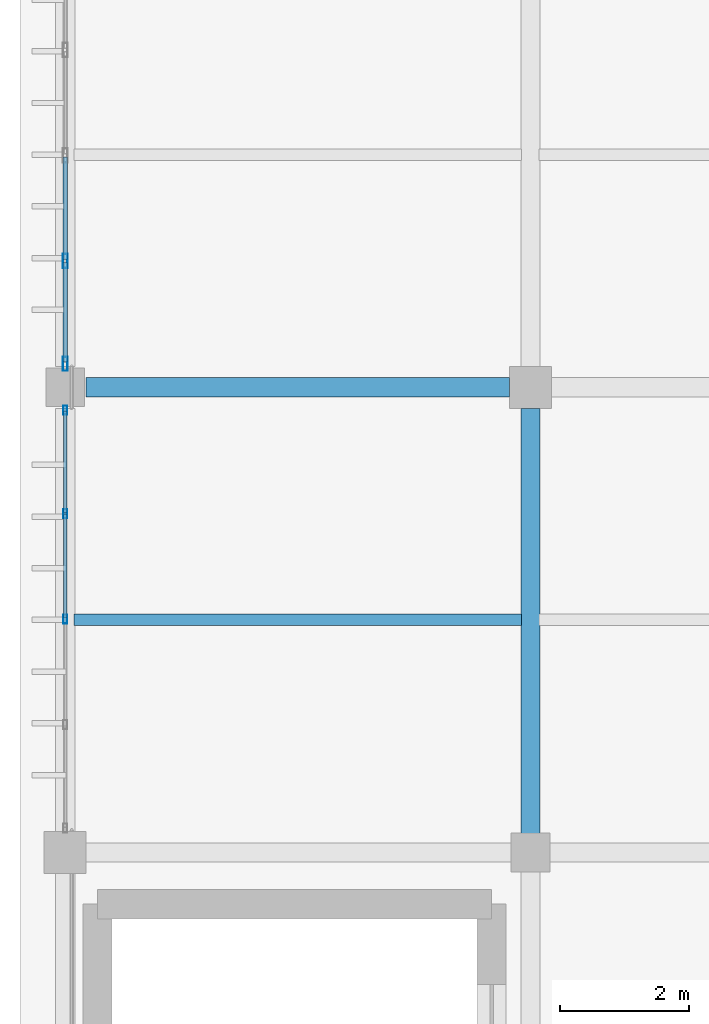
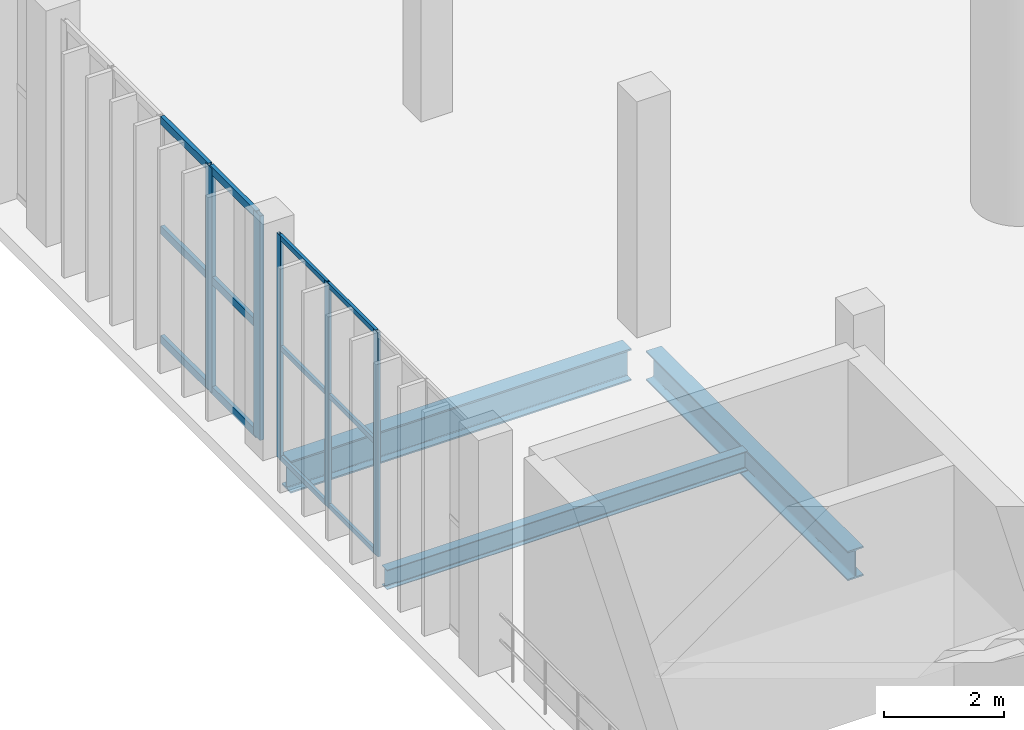
# One storey, part 41 of 105: 17 members, 3 beams, 2 elements without a shape of their own.
"""IFC4 building model written with IfcOpenShell, lengths in metres."""

from ifc_helpers import new_model, si_unit, direction, frame, origin, origin_2d, place, context, subcontext, project, spatial, hollow_rectangle, i_section, extrude, material, material_profile, profile_set, type_object, element, aggregate, save


model = new_model("IFC4")

# Units and contexts
model_context = context("Model", 3, precision=1e-05, world=origin(), true_north=direction((0.0, 1.0)))
body_context = subcontext(model_context, "Body", "Model", "MODEL_VIEW")
ifc_project = project(units=[si_unit("LENGTHUNIT", "METRE"), si_unit("AREAUNIT", "SQUARE_METRE"), si_unit("VOLUMEUNIT", "CUBIC_METRE"), si_unit("PLANEANGLEUNIT", "RADIAN"), si_unit("MASSUNIT", "GRAM", prefix="KILO")], contexts=[model_context])

# Site, building, storey
site_placement = place(None, origin())
site = spatial("IfcSite", under=ifc_project, at=site_placement, CompositionType="ELEMENT")
building_placement = place(site_placement, origin())
building = spatial("IfcBuilding", under=site, at=building_placement, Name="Qandorah Velis Arena", CompositionType="ELEMENT")
storey_placement = place(building_placement, frame((0.0, 0.0, 13.800048828125)))
storey = spatial("IfcBuildingStorey", under=building, at=storey_placement, Name="L03", CompositionType="ELEMENT", Elevation=13.800048828125)

# Curtain wall, members
ifc_material_1 = material(Name="Solar-control low-E double glazing", Category="glass")
curtain_wall_type_1 = type_object("IfcCurtainWallType", Name="ARC-CW-SYS04", PredefinedType="USERDEFINED", material=ifc_material_1)
curtain_wall_1_placement = place(storey_placement, origin())
curtain_wall_1 = element("IfcCurtainWall", 1, at=curtain_wall_1_placement, inside=storey, type_object=curtain_wall_type_1, Name="Unitised curtain wall L03-028", ObjectType="UNITISED CURTAIN WALL", PredefinedType="USERDEFINED")
ifc_material_2 = material(Name="Champagne-bronze anodized aluminium 6063-T6", Category="aluminium")
ifc_material_profile_1 = material_profile(ifc_material_2, hollow_rectangle(XDim=0.054931640625, YDim=0.139892578125, WallThickness=0.0029296875, at=origin_2d()), Name="ALU MULLION 55x140")
ifc_profile_set_1 = profile_set([ifc_material_profile_1], Name="Champagne-bronze anodized aluminium 6063-T6")
member_type_1 = type_object("IfcMemberType", Name="ARC-CWM-140", PredefinedType="MULLION", material=ifc_profile_set_1)
member_1_placement = place(storey_placement, frame((0.0, 97.21240234375, -0.01513671875), z_axis=(0.0, 0.0, 1.0), x_axis=(-1.0, 0.0, 0.0)))
member_1 = element("IfcMember", 2, at=member_1_placement, type_object=member_type_1, Name="CW04 mullion 3", PredefinedType="MULLION", context=body_context, shape_type="SweptSolid", body=[
    extrude(hollow_rectangle(XDim=0.054931640625, YDim=0.139892578125, WallThickness=0.0029296875, at=origin_2d()), origin(), (0.0, 0.0, 1.0), 4.56005859375),
])
member_2_placement = place(storey_placement, frame((0.0, 98.84375, -0.01513671875), z_axis=(0.0, 0.0, 1.0), x_axis=(-1.0, 0.0, 0.0)))
member_2 = element("IfcMember", 3, at=member_2_placement, type_object=member_type_1, Name="CW04 mullion 4", PredefinedType="MULLION", context=body_context, shape_type="SweptSolid", body=[
    extrude(hollow_rectangle(XDim=0.054931640625, YDim=0.139892578125, WallThickness=0.0029296875, at=origin_2d()), origin(), (0.0, 0.0, 1.0), 4.56005859375),
])
member_3_placement = place(storey_placement, frame((0.0, 100.447509765625, -0.01513671875), z_axis=(0.0, 0.0, 1.0), x_axis=(-1.0, 0.0, 0.0)))
member_3 = element("IfcMember", 4, at=member_3_placement, type_object=member_type_1, Name="CW04 mullion 5", PredefinedType="MULLION", context=body_context, shape_type="SweptSolid", body=[
    extrude(hollow_rectangle(XDim=0.054931640625, YDim=0.139892578125, WallThickness=0.0029296875, at=origin_2d()), origin(), (0.0, 0.0, 1.0), 4.56005859375),
])

curtain_wall_type_2 = type_object("IfcCurtainWallType", Name="ARC-CW-SYS05", PredefinedType="USERDEFINED", material=ifc_material_1)
curtain_wall_2_placement = place(storey_placement, origin())
curtain_wall_2 = element("IfcCurtainWall", 5, at=curtain_wall_2_placement, inside=storey, type_object=curtain_wall_type_2, Name="Unitised curtain wall L03-029", ObjectType="UNITISED CURTAIN WALL", PredefinedType="USERDEFINED")
ifc_material_profile_2 = material_profile(ifc_material_2, hollow_rectangle(XDim=0.074951171875, YDim=0.219970703125, WallThickness=0.00390625, at=origin_2d()), Name="ALU MULLION 75x220")
ifc_profile_set_2 = profile_set([ifc_material_profile_2], Name="Champagne-bronze anodized aluminium 6063-T6")
member_type_2 = type_object("IfcMemberType", Name="ARC-CWM-220", PredefinedType="MULLION", material=ifc_profile_set_2)
member_4_placement = place(storey_placement, frame((0.0, 101.16259765625, -0.01513671875), z_axis=(0.0, 0.0, 1.0), x_axis=(-1.0, 0.0, 0.0)))
member_4 = element("IfcMember", 6, at=member_4_placement, type_object=member_type_2, Name="CW05 mullion 1", PredefinedType="MULLION", context=body_context, shape_type="SweptSolid", body=[
    extrude(hollow_rectangle(XDim=0.074951171875, YDim=0.219970703125, WallThickness=0.00390625, at=origin_2d()), origin(), (0.0, 0.0, 1.0), 4.56005859375),
])
member_5_placement = place(storey_placement, frame((0.0, 102.75634765625, -0.01513671875), z_axis=(0.0, 0.0, 1.0), x_axis=(-1.0, 0.0, 0.0)))
member_5 = element("IfcMember", 7, at=member_5_placement, type_object=member_type_2, Name="CW05 mullion 2", PredefinedType="MULLION", context=body_context, shape_type="SweptSolid", body=[
    extrude(hollow_rectangle(XDim=0.074951171875, YDim=0.219970703125, WallThickness=0.00390625, at=origin_2d()), origin(), (0.0, 0.0, 1.0), 4.56005859375),
])

# Member
ifc_material_profile_3 = material_profile(ifc_material_2, hollow_rectangle(XDim=0.054931640625, YDim=0.10009765625, WallThickness=0.0029296875, at=origin_2d()), Name="ALU TRANSOM 55x100")
ifc_profile_set_3 = profile_set([ifc_material_profile_3], Name="Champagne-bronze anodized aluminium 6063-T6")
member_type_3 = type_object("IfcMemberType", Name="ARC-CWT-100", PredefinedType="USERDEFINED", material=ifc_profile_set_3)
member_6_placement = place(storey_placement, frame((0.0, 97.22802734375, 0.02734375), z_axis=(0.0, 1.0, 0.0), x_axis=(-1.0, 0.0, 0.0)))
member_6 = element("IfcMember", 8, at=member_6_placement, type_object=member_type_3, Name="CW04 transom 3.1", ObjectType="TRANSOM", PredefinedType="USERDEFINED", context=body_context, shape_type="SweptSolid", body=[
    extrude(hollow_rectangle(XDim=0.054931640625, YDim=0.10009765625, WallThickness=0.0029296875, at=origin_2d()), origin(), (0.0, 0.0, 1.0), 1.60009765625),
])

member_7_placement = place(storey_placement, frame((0.0, 97.22802734375, 2.264892578125), z_axis=(0.0, 1.0, 0.0), x_axis=(-1.0, 0.0, 0.0)))
member_7 = element("IfcMember", 9, at=member_7_placement, type_object=member_type_3, Name="CW04 transom 3.2", ObjectType="TRANSOM", PredefinedType="USERDEFINED", context=body_context, shape_type="SweptSolid", body=[
    extrude(hollow_rectangle(XDim=0.054931640625, YDim=0.10009765625, WallThickness=0.0029296875, at=origin_2d()), origin(), (0.0, 0.0, 1.0), 1.60009765625),
])

member_8_placement = place(storey_placement, frame((0.0, 97.22802734375, 4.50244140625), z_axis=(0.0, 1.0, 0.0), x_axis=(-1.0, 0.0, 0.0)))
member_8 = element("IfcMember", 10, at=member_8_placement, type_object=member_type_3, Name="CW04 transom 3.3", ObjectType="TRANSOM", PredefinedType="USERDEFINED", context=body_context, shape_type="SweptSolid", body=[
    extrude(hollow_rectangle(XDim=0.054931640625, YDim=0.10009765625, WallThickness=0.0029296875, at=origin_2d()), origin(), (0.0, 0.0, 1.0), 1.60009765625),
])

member_9_placement = place(storey_placement, frame((0.0, 98.859375, 0.02734375), z_axis=(0.0, 1.0, 0.0), x_axis=(-1.0, 0.0, 0.0)))
member_9 = element("IfcMember", 11, at=member_9_placement, type_object=member_type_3, Name="CW04 transom 4.1", ObjectType="TRANSOM", PredefinedType="USERDEFINED", context=body_context, shape_type="SweptSolid", body=[
    extrude(hollow_rectangle(XDim=0.054931640625, YDim=0.10009765625, WallThickness=0.0029296875, at=origin_2d()), origin(), (0.0, 0.0, 1.0), 1.572509765625),
])

member_10_placement = place(storey_placement, frame((0.0, 98.859375, 2.264892578125), z_axis=(0.0, 1.0, 0.0), x_axis=(-1.0, 0.0, 0.0)))
member_10 = element("IfcMember", 12, at=member_10_placement, type_object=member_type_3, Name="CW04 transom 4.2", ObjectType="TRANSOM", PredefinedType="USERDEFINED", context=body_context, shape_type="SweptSolid", body=[
    extrude(hollow_rectangle(XDim=0.054931640625, YDim=0.10009765625, WallThickness=0.0029296875, at=origin_2d()), origin(), (0.0, 0.0, 1.0), 1.572509765625),
])

member_11_placement = place(storey_placement, frame((0.0, 98.859375, 4.50244140625), z_axis=(0.0, 1.0, 0.0), x_axis=(-1.0, 0.0, 0.0)))
member_11 = element("IfcMember", 13, at=member_11_placement, type_object=member_type_3, Name="CW04 transom 4.3", ObjectType="TRANSOM", PredefinedType="USERDEFINED", context=body_context, shape_type="SweptSolid", body=[
    extrude(hollow_rectangle(XDim=0.054931640625, YDim=0.10009765625, WallThickness=0.0029296875, at=origin_2d()), origin(), (0.0, 0.0, 1.0), 1.572509765625),
])

aggregate(curtain_wall_1, [member_1, member_2, member_3, member_6, member_7, member_8, member_9, member_10, member_11])

ifc_material_profile_4 = material_profile(ifc_material_2, hollow_rectangle(XDim=0.074951171875, YDim=0.159912109375, WallThickness=0.00341796875, at=origin_2d()), Name="ALU TRANSOM 75x160")
ifc_profile_set_4 = profile_set([ifc_material_profile_4], Name="Champagne-bronze anodized aluminium 6063-T6")
member_type_4 = type_object("IfcMemberType", Name="ARC-CWT-160", PredefinedType="USERDEFINED", material=ifc_profile_set_4)
member_12_placement = place(storey_placement, frame((0.0, 101.18798828125, 0.037353515625), z_axis=(0.0, 1.0, 0.0), x_axis=(-1.0, 0.0, 0.0)))
member_12 = element("IfcMember", 14, at=member_12_placement, type_object=member_type_4, Name="CW05 transom 1.1", ObjectType="TRANSOM", PredefinedType="USERDEFINED", context=body_context, shape_type="SweptSolid", body=[
    extrude(hollow_rectangle(XDim=0.074951171875, YDim=0.159912109375, WallThickness=0.00341796875, at=origin_2d()), origin(), (0.0, 0.0, 1.0), 1.542724609375),
])

member_13_placement = place(storey_placement, frame((0.0, 101.18798828125, 2.264892578125), z_axis=(0.0, 1.0, 0.0), x_axis=(-1.0, 0.0, 0.0)))
member_13 = element("IfcMember", 15, at=member_13_placement, type_object=member_type_4, Name="CW05 transom 1.2", ObjectType="TRANSOM", PredefinedType="USERDEFINED", context=body_context, shape_type="SweptSolid", body=[
    extrude(hollow_rectangle(XDim=0.074951171875, YDim=0.159912109375, WallThickness=0.00341796875, at=origin_2d()), origin(), (0.0, 0.0, 1.0), 1.542724609375),
])

member_14_placement = place(storey_placement, frame((0.0, 101.18798828125, 4.492431640625), z_axis=(0.0, 1.0, 0.0), x_axis=(-1.0, 0.0, 0.0)))
member_14 = element("IfcMember", 16, at=member_14_placement, type_object=member_type_4, Name="CW05 transom 1.3", ObjectType="TRANSOM", PredefinedType="USERDEFINED", context=body_context, shape_type="SweptSolid", body=[
    extrude(hollow_rectangle(XDim=0.074951171875, YDim=0.159912109375, WallThickness=0.00341796875, at=origin_2d()), origin(), (0.0, 0.0, 1.0), 1.542724609375),
])

member_15_placement = place(storey_placement, frame((0.0, 102.78173828125, 0.037353515625), z_axis=(0.0, 1.0, 0.0), x_axis=(-1.0, 0.0, 0.0)))
member_15 = element("IfcMember", 17, at=member_15_placement, type_object=member_type_4, Name="CW05 transom 2.1", ObjectType="TRANSOM", PredefinedType="USERDEFINED", context=body_context, shape_type="SweptSolid", body=[
    extrude(hollow_rectangle(XDim=0.074951171875, YDim=0.159912109375, WallThickness=0.00341796875, at=origin_2d()), origin(), (0.0, 0.0, 1.0), 1.580322265625),
])

member_16_placement = place(storey_placement, frame((0.0, 102.78173828125, 2.264892578125), z_axis=(0.0, 1.0, 0.0), x_axis=(-1.0, 0.0, 0.0)))
member_16 = element("IfcMember", 18, at=member_16_placement, type_object=member_type_4, Name="CW05 transom 2.2", ObjectType="TRANSOM", PredefinedType="USERDEFINED", context=body_context, shape_type="SweptSolid", body=[
    extrude(hollow_rectangle(XDim=0.074951171875, YDim=0.159912109375, WallThickness=0.00341796875, at=origin_2d()), origin(), (0.0, 0.0, 1.0), 1.580322265625),
])

member_17_placement = place(storey_placement, frame((0.0, 102.78173828125, 4.492431640625), z_axis=(0.0, 1.0, 0.0), x_axis=(-1.0, 0.0, 0.0)))
member_17 = element("IfcMember", 19, at=member_17_placement, type_object=member_type_4, Name="CW05 transom 2.3", ObjectType="TRANSOM", PredefinedType="USERDEFINED", context=body_context, shape_type="SweptSolid", body=[
    extrude(hollow_rectangle(XDim=0.074951171875, YDim=0.159912109375, WallThickness=0.00341796875, at=origin_2d()), origin(), (0.0, 0.0, 1.0), 1.580322265625),
])

aggregate(curtain_wall_2, [member_4, member_5, member_12, member_13, member_14, member_15, member_16, member_17])

# Beams
ifc_material_3 = material(Name="Steel S355", Category="steel")
ifc_material_profile_5 = material_profile(ifc_material_3, i_section(OverallWidth=0.300048828125, OverallDepth=0.60009765625, WebThickness=0.015380859375, FlangeThickness=0.030029296875, FilletRadius=0.027099609375, at=origin_2d()), Name="HEB 600")
ifc_profile_set_5 = profile_set([ifc_material_profile_5], Name="Steel S355")
beam_type_1 = type_object("IfcBeamType", Name="STR-BM-HEB600", PredefinedType="BEAM", material=ifc_profile_set_5)
beam_1_placement = place(storey_placement, frame((7.199951171875, 93.75, -0.6201171875), z_axis=(0.0, 1.0, 0.0), x_axis=(-1.0, 0.0, 0.0)))
element("IfcBeam", 20, at=beam_1_placement, inside=storey, type_object=beam_type_1, Name="Primary floor girder L03 Y-203", PredefinedType="BEAM", context=body_context, shape_type="SweptSolid", body=[
    extrude(i_section(OverallWidth=0.300048828125, OverallDepth=0.60009765625, WebThickness=0.015380859375, FlangeThickness=0.030029296875, FilletRadius=0.027099609375, at=origin_2d()), origin(), (0.0, 0.0, 1.0), 6.72509765625),
])
ifc_material_profile_6 = material_profile(ifc_material_3, i_section(OverallWidth=0.300048828125, OverallDepth=0.64990234375, WebThickness=0.01611328125, FlangeThickness=0.031005859375, FilletRadius=0.027099609375, at=origin_2d()), Name="HEB 650")
ifc_profile_set_6 = profile_set([ifc_material_profile_6], Name="Steel S355")
beam_type_2 = type_object("IfcBeamType", Name="STR-BM-HEB650", PredefinedType="BEAM", material=ifc_profile_set_6)
beam_2_placement = place(storey_placement, frame((0.324951171875, 100.800048828125, -0.64501953125), z_axis=(1.0, 0.0, 0.0), x_axis=(0.0, 1.0, 0.0)))
element("IfcBeam", 21, at=beam_2_placement, inside=storey, type_object=beam_type_2, Name="Primary floor girder L03 X-116", PredefinedType="BEAM", context=body_context, shape_type="SweptSolid", body=[
    extrude(i_section(OverallWidth=0.300048828125, OverallDepth=0.64990234375, WebThickness=0.01611328125, FlangeThickness=0.031005859375, FilletRadius=0.027099609375, at=origin_2d()), origin(), (0.0, 0.0, 1.0), 6.550048828125),
])
ifc_material_profile_7 = material_profile(ifc_material_3, i_section(OverallWidth=0.179931640625, OverallDepth=0.39990234375, WebThickness=0.008544921875, FlangeThickness=0.013427734375, FilletRadius=0.02099609375, at=origin_2d()), Name="IPE 400")
ifc_profile_set_7 = profile_set([ifc_material_profile_7], Name="Steel S355")
beam_type_3 = type_object("IfcBeamType", Name="STR-JST-IPE400", PredefinedType="JOIST", material=ifc_profile_set_7)
beam_3_placement = place(storey_placement, frame((0.135009765625, 97.199951171875, -0.52001953125), z_axis=(1.0, 0.0, 0.0), x_axis=(0.0, 1.0, 0.0)))
element("IfcBeam", 22, at=beam_3_placement, inside=storey, type_object=beam_type_3, Name="Secondary floor joist L03-008", PredefinedType="JOIST", context=body_context, shape_type="SweptSolid", body=[
    extrude(i_section(OverallWidth=0.179931640625, OverallDepth=0.39990234375, WebThickness=0.008544921875, FlangeThickness=0.013427734375, FilletRadius=0.02099609375, at=origin_2d()), origin(), (0.0, 0.0, 1.0), 6.929931640625),
])

save(model, "model.ifc")
